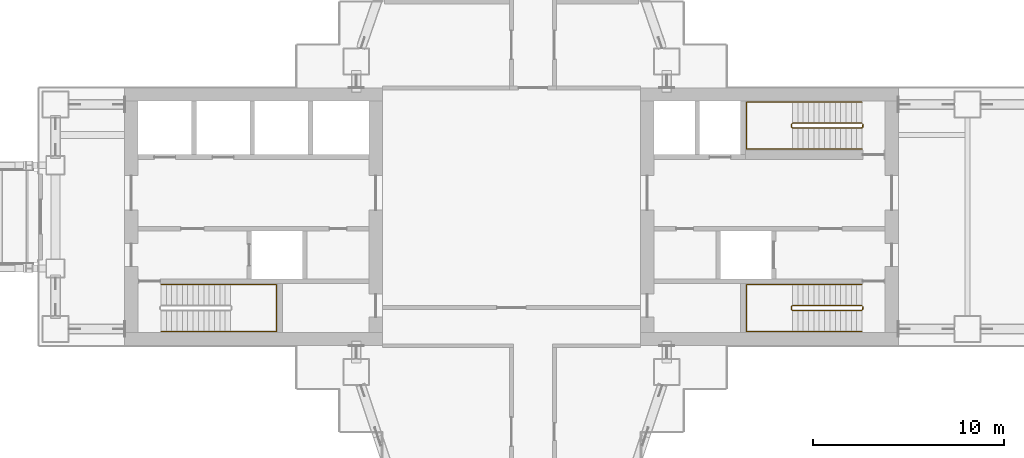
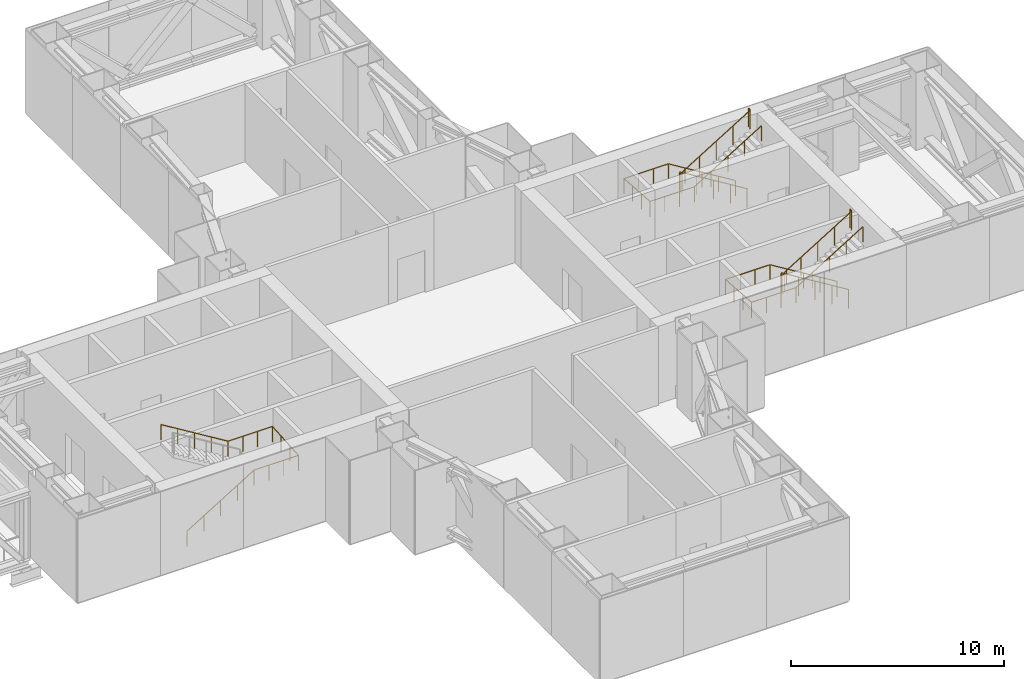
# One storey, part 23 of 23: 5 railings.
"""IFC4 building model written with IfcOpenShell, lengths in metres."""

from ifc_helpers import new_model, si_unit, direction, frame, origin, origin_2d, place, context, subcontext, project, spatial, circle, extrude, material, type_object, element, save


model = new_model("IFC4")

# Units and contexts
model_context = context("Model", 3, precision=1e-05, world=origin(), true_north=direction((0.0, 1.0)))
body_context = subcontext(model_context, "Body", "Model", "MODEL_VIEW")
ifc_project = project(units=[si_unit("LENGTHUNIT", "METRE"), si_unit("AREAUNIT", "SQUARE_METRE"), si_unit("VOLUMEUNIT", "CUBIC_METRE"), si_unit("PLANEANGLEUNIT", "RADIAN"), si_unit("MASSUNIT", "GRAM", prefix="KILO")], contexts=[model_context])

# Site, building, storey
site_placement = place(None, origin())
site = spatial("IfcSite", under=ifc_project, at=site_placement, CompositionType="ELEMENT")
building_placement = place(site_placement, origin())
building = spatial("IfcBuilding", under=site, at=building_placement, Name="Shamsa Quay Exchange Towers", CompositionType="ELEMENT")
storey_placement = place(building_placement, frame((0.0, 0.0, 77.10009765625)))
storey = spatial("IfcBuildingStorey", under=building, at=storey_placement, Name="L17", CompositionType="ELEMENT", Elevation=77.10009765625)

# Railings
ifc_material = material(Name="Stainless steel", Category="steel")
railing_type_1 = type_object("IfcRailingType", Name="STAIR GUARD 1100", PredefinedType="GUARDRAIL", material=ifc_material)
railing_1_placement = place(storey_placement, frame((52.10009765625, -4.64990234375, 0.17138671875)))
element("IfcRailing", 1, at=railing_1_placement, inside=storey, type_object=railing_type_1, Name="L17 ST5 stair guard 1", PredefinedType="GUARDRAIL", context=body_context, shape_type="SweptSolid", body=[
    extrude(circle(Radius=0.02392578125, at=origin_2d()), frame((0.0, 0.0, 1.076171875), z_axis=(-0.852865859571, 0.0, 0.52213008492), x_axis=(0.0, -1.0, 0.0)), (0.0, 0.0, 1.0), 4.26806640625),
    extrude(circle(Radius=0.02392578125, at=origin_2d()), frame((-3.64013671875, 0.0, 3.3046875), z_axis=(-0.707106781187, -0.707106781187, 0.0), x_axis=(0.707106781187, -0.707106781187, 0.0)), (0.0, 0.0, 1.0), 0.07080078125),
    extrude(circle(Radius=0.02392578125, at=origin_2d()), frame((-3.690185546875, -0.050048828125, 3.3046875), z_axis=(0.0, -1.0, 0.0), x_axis=(1.0, 0.0, 0.0)), (0.0, 0.0, 1.0), 0.150146484375),
    extrude(circle(Radius=0.02392578125, at=origin_2d()), frame((-3.690185546875, -0.2001953125, 3.3046875), z_axis=(0.270006937388, -0.268689830376, 0.924609122178), x_axis=(0.705375805398, 0.708833529934, 0.0)), (0.0, 0.0, 1.0), 0.185302734375),
    extrude(circle(Radius=0.02392578125, at=origin_2d()), frame((-3.64013671875, -0.25, 3.47607421875), z_axis=(0.852865859571, 0.0, 0.52213008492), x_axis=(0.0, 1.0, 0.0)), (0.0, 0.0, 1.0), 4.26806640625),
    extrude(circle(Radius=0.02392578125, at=origin_2d()), frame((0.0, -0.25, 5.70458984375), z_axis=(0.241699205484, 0.970351222016, 0.0), x_axis=(-0.970351222016, 0.241699205484, 0.0)), (0.0, 0.0, 1.0), 0.2060546875),
    extrude(circle(Radius=0.02392578125, at=origin_2d()), frame((0.0498046875, -0.050048828125, 5.70458984375), z_axis=(0.0, -1.0, 0.0), x_axis=(1.0, 0.0, 0.0)), (0.0, 0.0, 1.0), 0.150146484375),
    extrude(circle(Radius=0.02099609375, at=origin_2d()), origin(), (0.0, 0.0, 1.0), 1.052001953125),
    extrude(circle(Radius=0.02099609375, at=origin_2d()), frame((-0.91015625, 0.0, 0.55712890625)), (0.0, 0.0, 1.0), 1.052001953125),
    extrude(circle(Radius=0.02099609375, at=origin_2d()), frame((-1.820068359375, 0.0, 1.1142578125)), (0.0, 0.0, 1.0), 1.052001953125),
    extrude(circle(Radius=0.02099609375, at=origin_2d()), frame((-2.72998046875, 0.0, 1.67138671875)), (0.0, 0.0, 1.0), 1.052001953125),
    extrude(circle(Radius=0.02099609375, at=origin_2d()), frame((-3.64013671875, 0.0, 2.228515625)), (0.0, 0.0, 1.0), 1.052001953125),
    extrude(circle(Radius=0.02099609375, at=origin_2d()), frame((-3.690185546875, -0.050048828125, 2.228515625)), (0.0, 0.0, 1.0), 1.052001953125),
    extrude(circle(Radius=0.02099609375, at=origin_2d()), frame((-3.690185546875, -0.2001953125, 2.228515625)), (0.0, 0.0, 1.0), 1.052001953125),
    extrude(circle(Radius=0.02099609375, at=origin_2d()), frame((-3.64013671875, -0.25, 2.39990234375)), (0.0, 0.0, 1.0), 1.052001953125),
    extrude(circle(Radius=0.02099609375, at=origin_2d()), frame((-2.72998046875, -0.25, 2.95703125)), (0.0, 0.0, 1.0), 1.052001953125),
    extrude(circle(Radius=0.02099609375, at=origin_2d()), frame((-1.820068359375, -0.25, 3.51416015625)), (0.0, 0.0, 1.0), 1.052001953125),
    extrude(circle(Radius=0.02099609375, at=origin_2d()), frame((-0.91015625, -0.25, 4.0712890625)), (0.0, 0.0, 1.0), 1.052001953125),
    extrude(circle(Radius=0.02099609375, at=origin_2d()), frame((0.0, -0.25, 4.62841796875)), (0.0, 0.0, 1.0), 1.052001953125),
    extrude(circle(Radius=0.02099609375, at=origin_2d()), frame((0.0498046875, -0.050048828125, 4.62841796875)), (0.0, 0.0, 1.0), 1.052001953125),
    extrude(circle(Radius=0.02099609375, at=origin_2d()), frame((0.0498046875, -0.2001953125, 4.62841796875)), (0.0, 0.0, 1.0), 1.052001953125),
])
railing_2_placement = place(storey_placement, frame((52.10009765625, 4.89990234375, 0.17138671875)))
element("IfcRailing", 2, at=railing_2_placement, inside=storey, type_object=railing_type_1, Name="L17 ST6 stair guard 1", PredefinedType="GUARDRAIL", context=body_context, shape_type="SweptSolid", body=[
    extrude(circle(Radius=0.02392578125, at=origin_2d()), frame((0.0, 0.0, 1.076171875), z_axis=(-0.852865859571, 0.0, 0.52213008492), x_axis=(0.0, -1.0, 0.0)), (0.0, 0.0, 1.0), 4.26806640625),
    extrude(circle(Radius=0.02392578125, at=origin_2d()), frame((-3.64013671875, 0.0, 3.3046875), z_axis=(-0.708833529934, -0.705375805398, 0.0), x_axis=(0.705375805398, -0.708833529934, 0.0)), (0.0, 0.0, 1.0), 0.070556640625),
    extrude(circle(Radius=0.02392578125, at=origin_2d()), frame((-3.690185546875, -0.0498046875, 3.3046875), z_axis=(0.0, -1.0, 0.0), x_axis=(1.0, 0.0, 0.0)), (0.0, 0.0, 1.0), 0.150146484375),
    extrude(circle(Radius=0.02392578125, at=origin_2d()), frame((-3.690185546875, -0.199951171875, 3.3046875), z_axis=(0.269911200495, -0.269911200495, 0.924281281696), x_axis=(0.707106781187, 0.707106781187, 0.0)), (0.0, 0.0, 1.0), 0.185546875),
    extrude(circle(Radius=0.02392578125, at=origin_2d()), frame((-3.64013671875, -0.25, 3.47607421875), z_axis=(0.852865859571, 0.0, 0.52213008492), x_axis=(0.0, 1.0, 0.0)), (0.0, 0.0, 1.0), 4.26806640625),
    extrude(circle(Radius=0.02392578125, at=origin_2d()), frame((0.0, -0.25, 5.70458984375), z_axis=(0.24142163986, 0.970420317083, 0.0), x_axis=(-0.970420317083, 0.24142163986, 0.0)), (0.0, 0.0, 1.0), 0.206298828125),
    extrude(circle(Radius=0.02392578125, at=origin_2d()), frame((0.0498046875, -0.0498046875, 5.70458984375), z_axis=(0.0, -1.0, 0.0), x_axis=(1.0, 0.0, 0.0)), (0.0, 0.0, 1.0), 0.150146484375),
    extrude(circle(Radius=0.02099609375, at=origin_2d()), origin(), (0.0, 0.0, 1.0), 1.052001953125),
    extrude(circle(Radius=0.02099609375, at=origin_2d()), frame((-0.91015625, 0.0, 0.55712890625)), (0.0, 0.0, 1.0), 1.052001953125),
    extrude(circle(Radius=0.02099609375, at=origin_2d()), frame((-1.820068359375, 0.0, 1.1142578125)), (0.0, 0.0, 1.0), 1.052001953125),
    extrude(circle(Radius=0.02099609375, at=origin_2d()), frame((-2.72998046875, 0.0, 1.67138671875)), (0.0, 0.0, 1.0), 1.052001953125),
    extrude(circle(Radius=0.02099609375, at=origin_2d()), frame((-3.64013671875, 0.0, 2.228515625)), (0.0, 0.0, 1.0), 1.052001953125),
    extrude(circle(Radius=0.02099609375, at=origin_2d()), frame((-3.690185546875, -0.0498046875, 2.228515625)), (0.0, 0.0, 1.0), 1.052001953125),
    extrude(circle(Radius=0.02099609375, at=origin_2d()), frame((-3.690185546875, -0.199951171875, 2.228515625)), (0.0, 0.0, 1.0), 1.052001953125),
    extrude(circle(Radius=0.02099609375, at=origin_2d()), frame((-3.64013671875, -0.25, 2.39990234375)), (0.0, 0.0, 1.0), 1.052001953125),
    extrude(circle(Radius=0.02099609375, at=origin_2d()), frame((-2.72998046875, -0.25, 2.95703125)), (0.0, 0.0, 1.0), 1.052001953125),
    extrude(circle(Radius=0.02099609375, at=origin_2d()), frame((-1.820068359375, -0.25, 3.51416015625)), (0.0, 0.0, 1.0), 1.052001953125),
    extrude(circle(Radius=0.02099609375, at=origin_2d()), frame((-0.91015625, -0.25, 4.0712890625)), (0.0, 0.0, 1.0), 1.052001953125),
    extrude(circle(Radius=0.02099609375, at=origin_2d()), frame((0.0, -0.25, 4.62841796875)), (0.0, 0.0, 1.0), 1.052001953125),
    extrude(circle(Radius=0.02099609375, at=origin_2d()), frame((0.0498046875, -0.0498046875, 4.62841796875)), (0.0, 0.0, 1.0), 1.052001953125),
    extrude(circle(Radius=0.02099609375, at=origin_2d()), frame((0.0498046875, -0.199951171875, 4.62841796875)), (0.0, 0.0, 1.0), 1.052001953125),
])
railing_type_2 = type_object("IfcRailingType", Name="STAIR HANDRAIL 900", PredefinedType="HANDRAIL", material=ifc_material)
railing_3_placement = place(storey_placement, frame((15.39990234375, -6.0, 0.17138671875)))
element("IfcRailing", 3, at=railing_3_placement, inside=storey, type_object=railing_type_2, Name="L17 ST4 stair handrail 1", PredefinedType="HANDRAIL", context=body_context, shape_type="SweptSolid", body=[
    extrude(circle(Radius=0.02392578125, at=origin_2d()), frame((0.0, 0.0, 0.8759765625), z_axis=(0.852865859571, 0.0, 0.52213008492), x_axis=(0.0, 1.0, 0.0)), (0.0, 0.0, 1.0), 4.26806640625),
    extrude(circle(Radius=0.02392578125, at=origin_2d()), frame((3.64013671875, 0.0, 3.1044921875), z_axis=(1.0, 0.0, 0.0), x_axis=(0.0, 1.0, 0.0)), (0.0, 0.0, 1.0), 2.409912109375),
    extrude(circle(Radius=0.02392578125, at=origin_2d()), frame((6.050048828125, 0.0, 3.1044921875), z_axis=(0.0, 0.99756208224, 0.069784612031), x_axis=(-1.0, 0.0, 0.0)), (0.0, 0.0, 1.0), 2.4560546875),
    extrude(circle(Radius=0.02392578125, at=origin_2d()), frame((6.050048828125, 2.449951171875, 3.27587890625), z_axis=(-1.0, 0.0, 0.0), x_axis=(0.0, -1.0, 0.0)), (0.0, 0.0, 1.0), 2.409912109375),
    extrude(circle(Radius=0.02392578125, at=origin_2d()), frame((3.64013671875, 2.449951171875, 3.27587890625), z_axis=(-0.852865859571, 0.0, 0.52213008492), x_axis=(0.0, -1.0, 0.0)), (0.0, 0.0, 1.0), 4.26806640625),
    extrude(circle(Radius=0.02099609375, at=origin_2d()), origin(), (0.0, 0.0, 1.0), 0.851806640625),
    extrude(circle(Radius=0.02099609375, at=origin_2d()), frame((0.91015625, 0.0, 0.55712890625)), (0.0, 0.0, 1.0), 0.851806640625),
    extrude(circle(Radius=0.02099609375, at=origin_2d()), frame((1.820068359375, 0.0, 1.1142578125)), (0.0, 0.0, 1.0), 0.851806640625),
    extrude(circle(Radius=0.02099609375, at=origin_2d()), frame((2.72998046875, 0.0, 1.67138671875)), (0.0, 0.0, 1.0), 0.851806640625),
    extrude(circle(Radius=0.02099609375, at=origin_2d()), frame((3.64013671875, 0.0, 2.228515625)), (0.0, 0.0, 1.0), 0.851806640625),
    extrude(circle(Radius=0.02099609375, at=origin_2d()), frame((4.443359375, 0.0, 2.228515625)), (0.0, 0.0, 1.0), 0.851806640625),
    extrude(circle(Radius=0.02099609375, at=origin_2d()), frame((5.246826171875, 0.0, 2.228515625)), (0.0, 0.0, 1.0), 0.851806640625),
    extrude(circle(Radius=0.02099609375, at=origin_2d()), frame((6.050048828125, 0.0, 2.228515625)), (0.0, 0.0, 1.0), 0.851806640625),
    extrude(circle(Radius=0.02099609375, at=origin_2d()), frame((6.050048828125, 0.816650390625, 2.28564453125)), (0.0, 0.0, 1.0), 0.851806640625),
    extrude(circle(Radius=0.02099609375, at=origin_2d()), frame((6.050048828125, 1.63330078125, 2.3427734375)), (0.0, 0.0, 1.0), 0.851806640625),
    extrude(circle(Radius=0.02099609375, at=origin_2d()), frame((6.050048828125, 2.449951171875, 2.39990234375)), (0.0, 0.0, 1.0), 0.851806640625),
    extrude(circle(Radius=0.02099609375, at=origin_2d()), frame((5.246826171875, 2.449951171875, 2.39990234375)), (0.0, 0.0, 1.0), 0.851806640625),
    extrude(circle(Radius=0.02099609375, at=origin_2d()), frame((4.443359375, 2.449951171875, 2.39990234375)), (0.0, 0.0, 1.0), 0.851806640625),
    extrude(circle(Radius=0.02099609375, at=origin_2d()), frame((3.64013671875, 2.449951171875, 2.39990234375)), (0.0, 0.0, 1.0), 0.851806640625),
    extrude(circle(Radius=0.02099609375, at=origin_2d()), frame((2.72998046875, 2.449951171875, 2.95703125)), (0.0, 0.0, 1.0), 0.851806640625),
    extrude(circle(Radius=0.02099609375, at=origin_2d()), frame((1.820068359375, 2.449951171875, 3.51416015625)), (0.0, 0.0, 1.0), 0.851806640625),
    extrude(circle(Radius=0.02099609375, at=origin_2d()), frame((0.91015625, 2.449951171875, 4.0712890625)), (0.0, 0.0, 1.0), 0.851806640625),
    extrude(circle(Radius=0.02099609375, at=origin_2d()), frame((0.0, 2.449951171875, 4.62841796875)), (0.0, 0.0, 1.0), 0.851806640625),
])
railing_4_placement = place(storey_placement, frame((52.10009765625, -3.550048828125, 0.17138671875)))
element("IfcRailing", 4, at=railing_4_placement, inside=storey, type_object=railing_type_2, Name="L17 ST5 stair handrail 1", PredefinedType="HANDRAIL", context=body_context, shape_type="SweptSolid", body=[
    extrude(circle(Radius=0.02392578125, at=origin_2d()), frame((0.0, 0.0, 0.8759765625), z_axis=(-0.852865859571, 0.0, 0.52213008492), x_axis=(0.0, -1.0, 0.0)), (0.0, 0.0, 1.0), 4.26806640625),
    extrude(circle(Radius=0.02392578125, at=origin_2d()), frame((-3.64013671875, 0.0, 3.1044921875), z_axis=(-1.0, 0.0, 0.0), x_axis=(0.0, -1.0, 0.0)), (0.0, 0.0, 1.0), 2.409912109375),
    extrude(circle(Radius=0.02392578125, at=origin_2d()), frame((-6.050048828125, 0.0, 3.1044921875), z_axis=(0.0, -0.99756208224, 0.069784612031), x_axis=(1.0, 0.0, 0.0)), (0.0, 0.0, 1.0), 2.4560546875),
    extrude(circle(Radius=0.02392578125, at=origin_2d()), frame((-6.050048828125, -2.449951171875, 3.27587890625), z_axis=(1.0, 0.0, 0.0), x_axis=(0.0, 1.0, 0.0)), (0.0, 0.0, 1.0), 2.409912109375),
    extrude(circle(Radius=0.02392578125, at=origin_2d()), frame((-3.64013671875, -2.449951171875, 3.27587890625), z_axis=(0.852865859571, 0.0, 0.52213008492), x_axis=(0.0, 1.0, 0.0)), (0.0, 0.0, 1.0), 4.26806640625),
    extrude(circle(Radius=0.02099609375, at=origin_2d()), origin(), (0.0, 0.0, 1.0), 0.851806640625),
    extrude(circle(Radius=0.02099609375, at=origin_2d()), frame((-0.91015625, 0.0, 0.55712890625)), (0.0, 0.0, 1.0), 0.851806640625),
    extrude(circle(Radius=0.02099609375, at=origin_2d()), frame((-1.820068359375, 0.0, 1.1142578125)), (0.0, 0.0, 1.0), 0.851806640625),
    extrude(circle(Radius=0.02099609375, at=origin_2d()), frame((-2.72998046875, 0.0, 1.67138671875)), (0.0, 0.0, 1.0), 0.851806640625),
    extrude(circle(Radius=0.02099609375, at=origin_2d()), frame((-3.64013671875, 0.0, 2.228515625)), (0.0, 0.0, 1.0), 0.851806640625),
    extrude(circle(Radius=0.02099609375, at=origin_2d()), frame((-4.443359375, 0.0, 2.228515625)), (0.0, 0.0, 1.0), 0.851806640625),
    extrude(circle(Radius=0.02099609375, at=origin_2d()), frame((-5.246826171875, 0.0, 2.228515625)), (0.0, 0.0, 1.0), 0.851806640625),
    extrude(circle(Radius=0.02099609375, at=origin_2d()), frame((-6.050048828125, 0.0, 2.228515625)), (0.0, 0.0, 1.0), 0.851806640625),
    extrude(circle(Radius=0.02099609375, at=origin_2d()), frame((-6.050048828125, -0.816650390625, 2.28564453125)), (0.0, 0.0, 1.0), 0.851806640625),
    extrude(circle(Radius=0.02099609375, at=origin_2d()), frame((-6.050048828125, -1.63330078125, 2.3427734375)), (0.0, 0.0, 1.0), 0.851806640625),
    extrude(circle(Radius=0.02099609375, at=origin_2d()), frame((-6.050048828125, -2.449951171875, 2.39990234375)), (0.0, 0.0, 1.0), 0.851806640625),
    extrude(circle(Radius=0.02099609375, at=origin_2d()), frame((-5.246826171875, -2.449951171875, 2.39990234375)), (0.0, 0.0, 1.0), 0.851806640625),
    extrude(circle(Radius=0.02099609375, at=origin_2d()), frame((-4.443359375, -2.449951171875, 2.39990234375)), (0.0, 0.0, 1.0), 0.851806640625),
    extrude(circle(Radius=0.02099609375, at=origin_2d()), frame((-3.64013671875, -2.449951171875, 2.39990234375)), (0.0, 0.0, 1.0), 0.851806640625),
    extrude(circle(Radius=0.02099609375, at=origin_2d()), frame((-2.72998046875, -2.449951171875, 2.95703125)), (0.0, 0.0, 1.0), 0.851806640625),
    extrude(circle(Radius=0.02099609375, at=origin_2d()), frame((-1.820068359375, -2.449951171875, 3.51416015625)), (0.0, 0.0, 1.0), 0.851806640625),
    extrude(circle(Radius=0.02099609375, at=origin_2d()), frame((-0.91015625, -2.449951171875, 4.0712890625)), (0.0, 0.0, 1.0), 0.851806640625),
    extrude(circle(Radius=0.02099609375, at=origin_2d()), frame((0.0, -2.449951171875, 4.62841796875)), (0.0, 0.0, 1.0), 0.851806640625),
])
railing_5_placement = place(storey_placement, frame((52.10009765625, 6.0, 0.17138671875)))
element("IfcRailing", 5, at=railing_5_placement, inside=storey, type_object=railing_type_2, Name="L17 ST6 stair handrail 1", PredefinedType="HANDRAIL", context=body_context, shape_type="SweptSolid", body=[
    extrude(circle(Radius=0.02392578125, at=origin_2d()), frame((0.0, 0.0, 0.8759765625), z_axis=(-0.852865859571, 0.0, 0.52213008492), x_axis=(0.0, -1.0, 0.0)), (0.0, 0.0, 1.0), 4.26806640625),
    extrude(circle(Radius=0.02392578125, at=origin_2d()), frame((-3.64013671875, 0.0, 3.1044921875), z_axis=(-1.0, 0.0, 0.0), x_axis=(0.0, -1.0, 0.0)), (0.0, 0.0, 1.0), 2.409912109375),
    extrude(circle(Radius=0.02392578125, at=origin_2d()), frame((-6.050048828125, 0.0, 3.1044921875), z_axis=(0.0, -0.99756208224, 0.069784612031), x_axis=(1.0, 0.0, 0.0)), (0.0, 0.0, 1.0), 2.4560546875),
    extrude(circle(Radius=0.02392578125, at=origin_2d()), frame((-6.050048828125, -2.449951171875, 3.27587890625), z_axis=(1.0, 0.0, 0.0), x_axis=(0.0, 1.0, 0.0)), (0.0, 0.0, 1.0), 2.409912109375),
    extrude(circle(Radius=0.02392578125, at=origin_2d()), frame((-3.64013671875, -2.449951171875, 3.27587890625), z_axis=(0.852865859571, 0.0, 0.52213008492), x_axis=(0.0, 1.0, 0.0)), (0.0, 0.0, 1.0), 4.26806640625),
    extrude(circle(Radius=0.02099609375, at=origin_2d()), origin(), (0.0, 0.0, 1.0), 0.851806640625),
    extrude(circle(Radius=0.02099609375, at=origin_2d()), frame((-0.91015625, 0.0, 0.55712890625)), (0.0, 0.0, 1.0), 0.851806640625),
    extrude(circle(Radius=0.02099609375, at=origin_2d()), frame((-1.820068359375, 0.0, 1.1142578125)), (0.0, 0.0, 1.0), 0.851806640625),
    extrude(circle(Radius=0.02099609375, at=origin_2d()), frame((-2.72998046875, 0.0, 1.67138671875)), (0.0, 0.0, 1.0), 0.851806640625),
    extrude(circle(Radius=0.02099609375, at=origin_2d()), frame((-3.64013671875, 0.0, 2.228515625)), (0.0, 0.0, 1.0), 0.851806640625),
    extrude(circle(Radius=0.02099609375, at=origin_2d()), frame((-4.443359375, 0.0, 2.228515625)), (0.0, 0.0, 1.0), 0.851806640625),
    extrude(circle(Radius=0.02099609375, at=origin_2d()), frame((-5.246826171875, 0.0, 2.228515625)), (0.0, 0.0, 1.0), 0.851806640625),
    extrude(circle(Radius=0.02099609375, at=origin_2d()), frame((-6.050048828125, 0.0, 2.228515625)), (0.0, 0.0, 1.0), 0.851806640625),
    extrude(circle(Radius=0.02099609375, at=origin_2d()), frame((-6.050048828125, -0.816650390625, 2.28564453125)), (0.0, 0.0, 1.0), 0.851806640625),
    extrude(circle(Radius=0.02099609375, at=origin_2d()), frame((-6.050048828125, -1.63330078125, 2.3427734375)), (0.0, 0.0, 1.0), 0.851806640625),
    extrude(circle(Radius=0.02099609375, at=origin_2d()), frame((-6.050048828125, -2.449951171875, 2.39990234375)), (0.0, 0.0, 1.0), 0.851806640625),
    extrude(circle(Radius=0.02099609375, at=origin_2d()), frame((-5.246826171875, -2.449951171875, 2.39990234375)), (0.0, 0.0, 1.0), 0.851806640625),
    extrude(circle(Radius=0.02099609375, at=origin_2d()), frame((-4.443359375, -2.449951171875, 2.39990234375)), (0.0, 0.0, 1.0), 0.851806640625),
    extrude(circle(Radius=0.02099609375, at=origin_2d()), frame((-3.64013671875, -2.449951171875, 2.39990234375)), (0.0, 0.0, 1.0), 0.851806640625),
    extrude(circle(Radius=0.02099609375, at=origin_2d()), frame((-2.72998046875, -2.449951171875, 2.95703125)), (0.0, 0.0, 1.0), 0.851806640625),
    extrude(circle(Radius=0.02099609375, at=origin_2d()), frame((-1.820068359375, -2.449951171875, 3.51416015625)), (0.0, 0.0, 1.0), 0.851806640625),
    extrude(circle(Radius=0.02099609375, at=origin_2d()), frame((-0.91015625, -2.449951171875, 4.0712890625)), (0.0, 0.0, 1.0), 0.851806640625),
    extrude(circle(Radius=0.02099609375, at=origin_2d()), frame((0.0, -2.449951171875, 4.62841796875)), (0.0, 0.0, 1.0), 0.851806640625),
])

save(model, "model.ifc")
